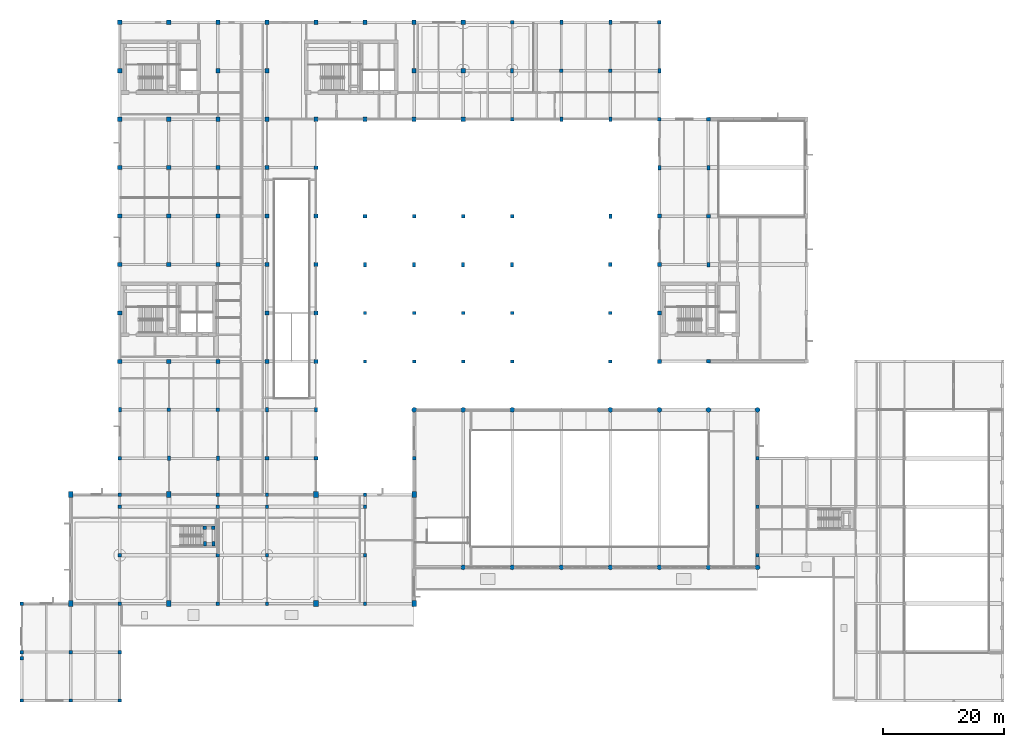
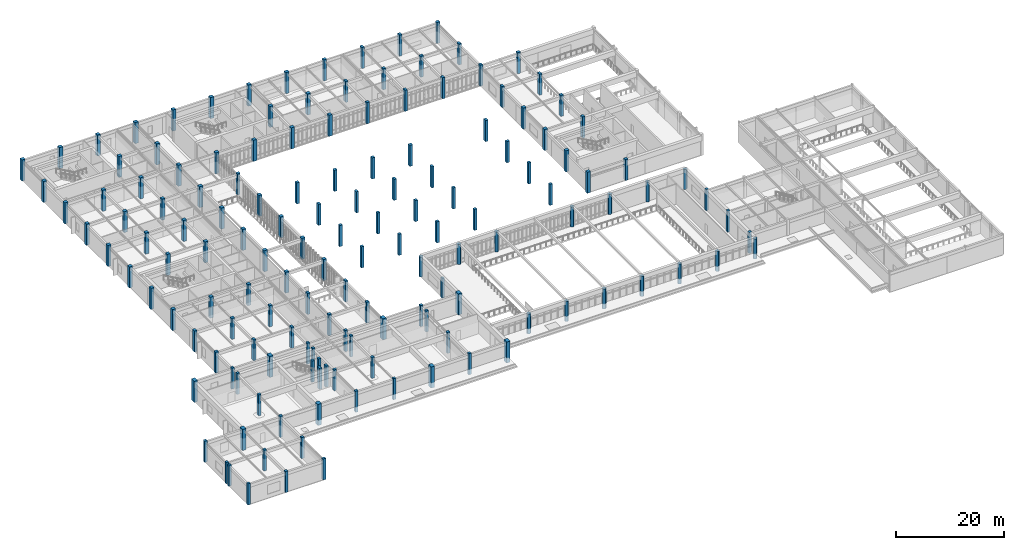
# One storey, part 1 of 61: 150 columns.
"""IFC4 building model written with IfcOpenShell, lengths in metres."""

from ifc_helpers import new_model, si_unit, direction, frame, origin, origin_2d, place, context, subcontext, project, spatial, rectangle, circle, extrude, material, material_profile, profile_set, type_object, element, save


model = new_model("IFC4")

# Units and contexts
model_context = context("Model", 3, precision=1e-05, world=origin(), true_north=direction((0.0, 1.0)))
body_context = subcontext(model_context, "Body", "Model", "MODEL_VIEW")
ifc_project = project(units=[si_unit("LENGTHUNIT", "METRE"), si_unit("AREAUNIT", "SQUARE_METRE"), si_unit("VOLUMEUNIT", "CUBIC_METRE"), si_unit("PLANEANGLEUNIT", "RADIAN"), si_unit("MASSUNIT", "GRAM", prefix="KILO")], contexts=[model_context])

# Site, building, storey
site_placement = place(None, origin())
site = spatial("IfcSite", under=ifc_project, at=site_placement, CompositionType="ELEMENT")
building_placement = place(site_placement, origin())
building = spatial("IfcBuilding", under=site, at=building_placement, Name="Tarnveldt Square Police Headquarters", CompositionType="ELEMENT")
storey_placement = place(building_placement, frame((0.0, 0.0, 5.39990234375)))
storey = spatial("IfcBuildingStorey", under=building, at=storey_placement, Name="L01", CompositionType="ELEMENT", Elevation=5.39990234375)

# Columns
ifc_material_1 = material(Name="Concrete 40 MPa", Category="concrete")
ifc_material_profile_1 = material_profile(ifc_material_1, circle(Radius=0.39990234375, at=origin_2d()), Name="RC-D800")
ifc_profile_set_1 = profile_set([ifc_material_profile_1], Name="Concrete 40 MPa")
column_type_1 = type_object("IfcColumnType", Name="COL-D800", PredefinedType="COLUMN", material=ifc_profile_set_1)
for number, where, z_axis, x_axis, name in (
    (1, (64.800048828125, 48.0, 0.0), (0.0, 0.0, 1.0), (1.0, 0.0, 0.0), "L01 Column 098"),
    (2, (72.89990234375, 22.0, 0.0), (0.0, 0.0, 1.0), (1.0, 0.0, 0.0), "L01 Column 107"),
    (3, (72.89990234375, 48.0, 0.0), (0.0, 0.0, 1.0), (1.0, 0.0, 0.0), "L01 Column 108"),
    (4, (81.0, 22.0, 0.0), (0.0, 0.0, 1.0), (1.0, 0.0, 0.0), "L01 Column 117"),
    (5, (81.0, 48.0, 0.0), (0.0, 0.0, 1.0), (1.0, 0.0, 0.0), "L01 Column 118"),
    (6, (89.10009765625, 22.0, 0.0), (0.0, 0.0, 1.0), (1.0, 0.0, 0.0), "L01 Column 127"),
    (7, (97.199951171875, 22.0, 0.0), (0.0, 0.0, 1.0), (1.0, 0.0, 0.0), "L01 Column 132"),
    (8, (97.199951171875, 48.0, 0.0), (0.0, 0.0, 1.0), (1.0, 0.0, 0.0), "L01 Column 133"),
    (9, (105.300048828125, 22.0, 0.0), (0.0, 0.0, 1.0), (1.0, 0.0, 0.0), "L01 Column 143"),
    (10, (105.300048828125, 48.0, 0.0), (0.0, 0.0, 1.0), (1.0, 0.0, 0.0), "L01 Column 144"),
    (11, (113.39990234375, 22.0, 0.0), (0.0, 0.0, 1.0), (1.0, 0.0, 0.0), "L01 Column 154"),
    (12, (113.39990234375, 48.0, 0.0), (0.0, 0.0, 1.0), (1.0, 0.0, 0.0), "L01 Column 155"),
    (13, (121.5, 22.0, 0.0), (0.0, 0.0, 1.0), (1.0, 0.0, 0.0), "L01 Column 161"),
    (14, (121.5, 48.0, 0.0), (0.0, 0.0, 1.0), (1.0, 0.0, 0.0), "L01 Column 165"),
):
    element("IfcColumn", number, at=place(storey_placement, frame(where, z_axis=z_axis, x_axis=x_axis)), inside=storey, type_object=column_type_1, Name=name, PredefinedType="COLUMN", context=body_context, shape_type="SweptSolid", body=[
        extrude(circle(Radius=0.39990234375, at=origin_2d()), origin(), (0.0, 0.0, 1.0), 4.52001953125),
    ])
ifc_material_profile_2 = material_profile(ifc_material_1, rectangle(XDim=0.5, YDim=0.75, at=origin_2d()), Name="RC-C500x750")
ifc_profile_set_2 = profile_set([ifc_material_profile_2], Name="Concrete 40 MPa")
column_type_2 = type_object("IfcColumnType", Name="COL-RC500x750", PredefinedType="COLUMN", material=ifc_profile_set_2)
for number, where, z_axis, x_axis, name in (
    (15, (16.199951171875, 48.0, 0.0), (0.0, 0.0, 1.0), (1.0, 0.0, 0.0), "L01 Column 019"),
    (16, (24.300048828125, 40.0, 0.0), (0.0, 0.0, 1.0), (1.0, 0.0, 0.0), "L01 Column 031"),
    (17, (30.25, 25.8798828125, 0.0), (0.0, 0.0, 1.0), (1.0, 0.0, 0.0), "L01 Column 039"),
    (18, (31.64990234375, 25.8798828125, 0.0), (0.0, 0.0, 1.0), (1.0, 0.0, 0.0), "L01 Column 041"),
    (19, (32.39990234375, 40.0, 0.0), (0.0, 0.0, 1.0), (1.0, 0.0, 0.0), "L01 Column 047"),
    (20, (40.5, 48.0, 0.0), (0.0, 0.0, 1.0), (1.0, 0.0, 0.0), "L01 Column 061"),
    (21, (48.60009765625, 48.0, 0.0), (0.0, 0.0, 1.0), (1.0, 0.0, 0.0), "L01 Column 073"),
    (22, (56.699951171875, 72.0, 0.0), (0.0, 0.0, 1.0), (1.0, 0.0, 0.0), "L01 Column 089"),
    (23, (64.800048828125, 72.0, 0.0), (0.0, 0.0, 1.0), (1.0, 0.0, 0.0), "L01 Column 101"),
    (24, (72.89990234375, 72.0, 0.0), (0.0, 0.0, 1.0), (1.0, 0.0, 0.0), "L01 Column 111"),
    (25, (81.0, 72.0, 0.0), (0.0, 0.0, 1.0), (1.0, 0.0, 0.0), "L01 Column 121"),
    (26, (81.0, 104.0, 0.0), (0.0, 0.0, 1.0), (1.0, 0.0, 0.0), "L01 Column 125"),
    (27, (89.10009765625, 96.0, 0.0), (0.0, 0.0, 1.0), (1.0, 0.0, 0.0), "L01 Column 129"),
    (28, (89.10009765625, 112.0, 0.0), (0.0, 0.0, 1.0), (1.0, 0.0, 0.0), "L01 Column 131"),
    (29, (97.199951171875, 80.0, 0.0), (0.0, 0.0, 1.0), (1.0, 0.0, 0.0), "L01 Column 137"),
    (30, (97.199951171875, 96.0, 0.0), (0.0, 0.0, 1.0), (1.0, 0.0, 0.0), "L01 Column 139"),
    (31, (97.199951171875, 112.0, 0.0), (0.0, 0.0, 1.0), (1.0, 0.0, 0.0), "L01 Column 141"),
    (32, (105.300048828125, 88.0, 0.0), (0.0, 0.0, 1.0), (1.0, 0.0, 0.0), "L01 Column 149"),
    (33, (105.300048828125, 104.0, 0.0), (0.0, 0.0, 1.0), (1.0, 0.0, 0.0), "L01 Column 151"),
    (34, (113.39990234375, 72.0, 0.0), (0.0, 0.0, 1.0), (1.0, 0.0, 0.0), "L01 Column 157"),
    (35, (113.39990234375, 88.0, 0.0), (0.0, 0.0, 1.0), (1.0, 0.0, 0.0), "L01 Column 159"),
):
    element("IfcColumn", number, at=place(storey_placement, frame(where, z_axis=z_axis, x_axis=x_axis)), inside=storey, type_object=column_type_2, Name=name, PredefinedType="COLUMN", context=body_context, shape_type="SweptSolid", body=[
        extrude(rectangle(XDim=0.5, YDim=0.75, at=origin_2d()), origin(), (0.0, 0.0, 1.0), 4.800048828125),
    ])
ifc_material_profile_3 = material_profile(ifc_material_1, rectangle(XDim=0.550048828125, YDim=0.550048828125, at=origin_2d()), Name="RC-C550x550")
ifc_profile_set_3 = profile_set([ifc_material_profile_3], Name="Concrete 40 MPa")
column_type_3 = type_object("IfcColumnType", Name="COL-RC550", PredefinedType="COLUMN", material=ifc_profile_set_3)
for number, where, z_axis, x_axis, name in (
    (36, (0.0, 0.0, 0.0), (0.0, 0.0, 1.0), (1.0, 0.0, 0.0), "L01 Column 001"),
    (37, (0.0, 7.0, 0.0), (0.0, 0.0, 1.0), (1.0, 0.0, 0.0), "L01 Column 002"),
    (38, (0.0, 8.0, 0.0), (0.0, 0.0, 1.0), (1.0, 0.0, 0.0), "L01 Column 003"),
    (39, (0.0, 16.0, 0.0), (0.0, 0.0, 1.0), (1.0, 0.0, 0.0), "L01 Column 004"),
    (40, (8.10009765625, 0.0, 0.0), (0.0, 0.0, 1.0), (1.0, 0.0, 0.0), "L01 Column 008"),
    (41, (8.10009765625, 8.0, 0.0), (0.0, 0.0, 1.0), (1.0, 0.0, 0.0), "L01 Column 009"),
    (42, (16.199951171875, 0.0, 0.0), (0.0, 0.0, 1.0), (1.0, 0.0, 0.0), "L01 Column 012"),
    (43, (16.199951171875, 8.0, 0.0), (0.0, 0.0, 1.0), (1.0, 0.0, 0.0), "L01 Column 013"),
    (44, (16.199951171875, 16.0, 0.0), (0.0, 0.0, 1.0), (1.0, 0.0, 0.0), "L01 Column 014"),
    (45, (16.199951171875, 24.0, 0.0), (0.0, 0.0, 1.0), (1.0, 0.0, 0.0), "L01 Column 015"),
    (46, (16.199951171875, 32.0, 0.0), (0.0, 0.0, 1.0), (1.0, 0.0, 0.0), "L01 Column 016"),
    (47, (16.199951171875, 34.0, 0.0), (0.0, 0.0, 1.0), (1.0, 0.0, 0.0), "L01 Column 017"),
    (48, (32.39990234375, 16.0, 0.0), (0.0, 0.0, 1.0), (1.0, 0.0, 0.0), "L01 Column 043"),
    (49, (32.39990234375, 24.0, 0.0), (0.0, 0.0, 1.0), (1.0, 0.0, 0.0), "L01 Column 044"),
    (50, (32.39990234375, 32.0, 0.0), (0.0, 0.0, 1.0), (1.0, 0.0, 0.0), "L01 Column 045"),
    (51, (32.39990234375, 34.0, 0.0), (0.0, 0.0, 1.0), (1.0, 0.0, 0.0), "L01 Column 046"),
    (52, (40.5, 16.0, 0.0), (0.0, 0.0, 1.0), (1.0, 0.0, 0.0), "L01 Column 056"),
    (53, (40.5, 24.0, 0.0), (0.0, 0.0, 1.0), (1.0, 0.0, 0.0), "L01 Column 057"),
    (54, (40.5, 32.0, 0.0), (0.0, 0.0, 1.0), (1.0, 0.0, 0.0), "L01 Column 058"),
    (55, (40.5, 34.0, 0.0), (0.0, 0.0, 1.0), (1.0, 0.0, 0.0), "L01 Column 059"),
    (56, (56.699951171875, 16.0, 0.0), (0.0, 0.0, 1.0), (1.0, 0.0, 0.0), "L01 Column 081"),
    (57, (56.699951171875, 24.0, 0.0), (0.0, 0.0, 1.0), (1.0, 0.0, 0.0), "L01 Column 082"),
    (58, (56.699951171875, 32.0, 0.0), (0.0, 0.0, 1.0), (1.0, 0.0, 0.0), "L01 Column 083"),
    (59, (56.699951171875, 34.0, 0.0), (0.0, 0.0, 1.0), (1.0, 0.0, 0.0), "L01 Column 084"),
    (60, (56.699951171875, 56.0, 0.0), (0.0, 0.0, 1.0), (1.0, 0.0, 0.0), "L01 Column 087"),
    (61, (56.699951171875, 64.0, 0.0), (0.0, 0.0, 1.0), (1.0, 0.0, 0.0), "L01 Column 088"),
):
    element("IfcColumn", number, at=place(storey_placement, frame(where, z_axis=z_axis, x_axis=x_axis)), inside=storey, type_object=column_type_3, Name=name, PredefinedType="COLUMN", context=body_context, shape_type="SweptSolid", body=[
        extrude(rectangle(XDim=0.550048828125, YDim=0.550048828125, at=origin_2d()), origin(), (0.0, 0.0, 1.0), 4.800048828125),
    ])
column_placement = place(storey_placement, frame((64.800048828125, 40.0, 0.0), z_axis=(0.0, 0.0, 1.0), x_axis=(1.0, 0.0, 0.0)))
element("IfcColumn", 62, at=column_placement, inside=storey, type_object=column_type_3, Name="L01 Column 097", PredefinedType="COLUMN", context=body_context, shape_type="SweptSolid", body=[
    extrude(rectangle(XDim=0.550048828125, YDim=0.550048828125, at=origin_2d()), origin(), (0.0, 0.0, 1.0), 4.52001953125),
])
for number, where, z_axis, x_axis, name in (
    (63, (64.800048828125, 56.0, 0.0), (0.0, 0.0, 1.0), (1.0, 0.0, 0.0), "L01 Column 099"),
    (64, (64.800048828125, 64.0, 0.0), (0.0, 0.0, 1.0), (1.0, 0.0, 0.0), "L01 Column 100"),
    (65, (72.89990234375, 56.0, 0.0), (0.0, 0.0, 1.0), (1.0, 0.0, 0.0), "L01 Column 109"),
    (66, (72.89990234375, 64.0, 0.0), (0.0, 0.0, 1.0), (1.0, 0.0, 0.0), "L01 Column 110"),
    (67, (81.0, 56.0, 0.0), (0.0, 0.0, 1.0), (1.0, 0.0, 0.0), "L01 Column 119"),
    (68, (81.0, 64.0, 0.0), (0.0, 0.0, 1.0), (1.0, 0.0, 0.0), "L01 Column 120"),
    (69, (97.199951171875, 56.0, 0.0), (0.0, 0.0, 1.0), (1.0, 0.0, 0.0), "L01 Column 134"),
    (70, (97.199951171875, 64.0, 0.0), (0.0, 0.0, 1.0), (1.0, 0.0, 0.0), "L01 Column 135"),
    (71, (121.5, 24.0, 0.0), (0.0, 0.0, 1.0), (1.0, 0.0, 0.0), "L01 Column 162"),
    (72, (121.5, 32.0, 0.0), (0.0, 0.0, 1.0), (1.0, 0.0, 0.0), "L01 Column 163"),
    (73, (121.5, 40.0, 0.0), (0.0, 0.0, 1.0), (1.0, 0.0, 0.0), "L01 Column 164"),
):
    element("IfcColumn", number, at=place(storey_placement, frame(where, z_axis=z_axis, x_axis=x_axis)), inside=storey, type_object=column_type_3, Name=name, PredefinedType="COLUMN", context=body_context, shape_type="SweptSolid", body=[
        extrude(rectangle(XDim=0.550048828125, YDim=0.550048828125, at=origin_2d()), origin(), (0.0, 0.0, 1.0), 4.800048828125),
    ])
ifc_material_profile_4 = material_profile(ifc_material_1, rectangle(XDim=0.60009765625, YDim=0.60009765625, at=origin_2d()), Name="RC-C600x600")
ifc_profile_set_4 = profile_set([ifc_material_profile_4], Name="Concrete 40 MPa")
column_type_4 = type_object("IfcColumnType", Name="COL-RC600", PredefinedType="COLUMN", material=ifc_profile_set_4)
for number, where, z_axis, x_axis, name in (
    (74, (16.199951171875, 40.0, 0.0), (0.0, 0.0, 1.0), (1.0, 0.0, 0.0), "L01 Column 018"),
    (75, (24.300048828125, 48.0, 0.0), (0.0, 0.0, 1.0), (1.0, 0.0, 0.0), "L01 Column 032"),
    (76, (30.25, 28.52001953125, 0.0), (0.0, 0.0, 1.0), (1.0, 0.0, 0.0), "L01 Column 040"),
    (77, (31.64990234375, 28.52001953125, 0.0), (0.0, 0.0, 1.0), (1.0, 0.0, 0.0), "L01 Column 042"),
    (78, (32.39990234375, 48.0, 0.0), (0.0, 0.0, 1.0), (1.0, 0.0, 0.0), "L01 Column 048"),
    (79, (40.5, 40.0, 0.0), (0.0, 0.0, 1.0), (1.0, 0.0, 0.0), "L01 Column 060"),
    (80, (48.60009765625, 40.0, 0.0), (0.0, 0.0, 1.0), (1.0, 0.0, 0.0), "L01 Column 072"),
    (81, (48.60009765625, 88.0, 0.0), (0.0, 0.0, 1.0), (1.0, 0.0, 0.0), "L01 Column 078"),
    (82, (56.699951171875, 80.0, 0.0), (0.0, 0.0, 1.0), (1.0, 0.0, 0.0), "L01 Column 090"),
    (83, (64.800048828125, 80.0, 0.0), (0.0, 0.0, 1.0), (1.0, 0.0, 0.0), "L01 Column 102"),
    (84, (72.89990234375, 80.0, 0.0), (0.0, 0.0, 1.0), (1.0, 0.0, 0.0), "L01 Column 112"),
    (85, (81.0, 80.0, 0.0), (0.0, 0.0, 1.0), (1.0, 0.0, 0.0), "L01 Column 122"),
    (86, (81.0, 96.0, 0.0), (0.0, 0.0, 1.0), (1.0, 0.0, 0.0), "L01 Column 124"),
    (87, (81.0, 112.0, 0.0), (0.0, 0.0, 1.0), (1.0, 0.0, 0.0), "L01 Column 126"),
    (88, (89.10009765625, 104.0, 0.0), (0.0, 0.0, 1.0), (1.0, 0.0, 0.0), "L01 Column 130"),
    (89, (97.199951171875, 72.0, 0.0), (0.0, 0.0, 1.0), (1.0, 0.0, 0.0), "L01 Column 136"),
    (90, (97.199951171875, 104.0, 0.0), (0.0, 0.0, 1.0), (1.0, 0.0, 0.0), "L01 Column 140"),
    (91, (105.300048828125, 96.0, 0.0), (0.0, 0.0, 1.0), (1.0, 0.0, 0.0), "L01 Column 150"),
    (92, (105.300048828125, 112.0, 0.0), (0.0, 0.0, 1.0), (1.0, 0.0, 0.0), "L01 Column 152"),
    (93, (113.39990234375, 56.0, 0.0), (0.0, 0.0, 1.0), (1.0, 0.0, 0.0), "L01 Column 156"),
    (94, (113.39990234375, 80.0, 0.0), (0.0, 0.0, 1.0), (1.0, 0.0, 0.0), "L01 Column 158"),
    (95, (113.39990234375, 96.0, 0.0), (0.0, 0.0, 1.0), (1.0, 0.0, 0.0), "L01 Column 160"),
):
    element("IfcColumn", number, at=place(storey_placement, frame(where, z_axis=z_axis, x_axis=x_axis)), inside=storey, type_object=column_type_4, Name=name, PredefinedType="COLUMN", context=body_context, shape_type="SweptSolid", body=[
        extrude(rectangle(XDim=0.60009765625, YDim=0.60009765625, at=origin_2d()), origin(), (0.0, 0.0, 1.0), 4.800048828125),
    ])
ifc_material_2 = material(Name="Concrete 50 MPa", Category="concrete")
ifc_material_profile_5 = material_profile(ifc_material_2, rectangle(XDim=0.699951171875, YDim=0.699951171875, at=origin_2d()), Name="RC-C700x700")
ifc_profile_set_5 = profile_set([ifc_material_profile_5], Name="Concrete 50 MPa")
column_type_5 = type_object("IfcColumnType", Name="COL-RC700", PredefinedType="COLUMN", material=ifc_profile_set_5)
for number, where, z_axis, x_axis, name in (
    (96, (16.199951171875, 56.0, 0.0), (0.0, 0.0, 1.0), (1.0, 0.0, 0.0), "L01 Column 020"),
    (97, (16.199951171875, 64.0, 0.0), (0.0, 0.0, 1.0), (1.0, 0.0, 0.0), "L01 Column 021"),
    (98, (16.199951171875, 72.0, 0.0), (0.0, 0.0, 1.0), (1.0, 0.0, 0.0), "L01 Column 022"),
    (99, (16.199951171875, 80.0, 0.0), (0.0, 0.0, 1.0), (1.0, 0.0, 0.0), "L01 Column 023"),
    (100, (16.199951171875, 88.0, 0.0), (0.0, 0.0, 1.0), (1.0, 0.0, 0.0), "L01 Column 024"),
    (101, (16.199951171875, 96.0, 0.0), (0.0, 0.0, 1.0), (1.0, 0.0, 0.0), "L01 Column 025"),
    (102, (16.199951171875, 104.0, 0.0), (0.0, 0.0, 1.0), (1.0, 0.0, 0.0), "L01 Column 026"),
    (103, (16.199951171875, 112.0, 0.0), (0.0, 0.0, 1.0), (1.0, 0.0, 0.0), "L01 Column 027"),
    (104, (24.300048828125, 56.0, 0.0), (0.0, 0.0, 1.0), (1.0, 0.0, 0.0), "L01 Column 033"),
    (105, (24.300048828125, 72.0, 0.0), (0.0, 0.0, 1.0), (1.0, 0.0, 0.0), "L01 Column 034"),
    (106, (24.300048828125, 80.0, 0.0), (0.0, 0.0, 1.0), (1.0, 0.0, 0.0), "L01 Column 035"),
    (107, (24.300048828125, 88.0, 0.0), (0.0, 0.0, 1.0), (1.0, 0.0, 0.0), "L01 Column 036"),
    (108, (24.300048828125, 96.0, 0.0), (0.0, 0.0, 1.0), (1.0, 0.0, 0.0), "L01 Column 037"),
    (109, (24.300048828125, 112.0, 0.0), (0.0, 0.0, 1.0), (1.0, 0.0, 0.0), "L01 Column 038"),
    (110, (32.39990234375, 56.0, 0.0), (0.0, 0.0, 1.0), (1.0, 0.0, 0.0), "L01 Column 049"),
    (111, (32.39990234375, 72.0, 0.0), (0.0, 0.0, 1.0), (1.0, 0.0, 0.0), "L01 Column 050"),
    (112, (32.39990234375, 80.0, 0.0), (0.0, 0.0, 1.0), (1.0, 0.0, 0.0), "L01 Column 051"),
    (113, (32.39990234375, 88.0, 0.0), (0.0, 0.0, 1.0), (1.0, 0.0, 0.0), "L01 Column 052"),
    (114, (32.39990234375, 96.0, 0.0), (0.0, 0.0, 1.0), (1.0, 0.0, 0.0), "L01 Column 053"),
    (115, (32.39990234375, 104.0, 0.0), (0.0, 0.0, 1.0), (1.0, 0.0, 0.0), "L01 Column 054"),
    (116, (32.39990234375, 112.0, 0.0), (0.0, 0.0, 1.0), (1.0, 0.0, 0.0), "L01 Column 055"),
    (117, (40.5, 56.0, 0.0), (0.0, 0.0, 1.0), (1.0, 0.0, 0.0), "L01 Column 062"),
    (118, (40.5, 64.0, 0.0), (0.0, 0.0, 1.0), (1.0, 0.0, 0.0), "L01 Column 063"),
    (119, (40.5, 72.0, 0.0), (0.0, 0.0, 1.0), (1.0, 0.0, 0.0), "L01 Column 064"),
    (120, (40.5, 80.0, 0.0), (0.0, 0.0, 1.0), (1.0, 0.0, 0.0), "L01 Column 065"),
    (121, (40.5, 88.0, 0.0), (0.0, 0.0, 1.0), (1.0, 0.0, 0.0), "L01 Column 066"),
    (122, (40.5, 96.0, 0.0), (0.0, 0.0, 1.0), (1.0, 0.0, 0.0), "L01 Column 067"),
    (123, (40.5, 104.0, 0.0), (0.0, 0.0, 1.0), (1.0, 0.0, 0.0), "L01 Column 068"),
    (124, (40.5, 112.0, 0.0), (0.0, 0.0, 1.0), (1.0, 0.0, 0.0), "L01 Column 069"),
    (125, (48.60009765625, 56.0, 0.0), (0.0, 0.0, 1.0), (1.0, 0.0, 0.0), "L01 Column 074"),
    (126, (48.60009765625, 64.0, 0.0), (0.0, 0.0, 1.0), (1.0, 0.0, 0.0), "L01 Column 075"),
    (127, (48.60009765625, 72.0, 0.0), (0.0, 0.0, 1.0), (1.0, 0.0, 0.0), "L01 Column 076"),
    (128, (48.60009765625, 80.0, 0.0), (0.0, 0.0, 1.0), (1.0, 0.0, 0.0), "L01 Column 077"),
    (129, (48.60009765625, 96.0, 0.0), (0.0, 0.0, 1.0), (1.0, 0.0, 0.0), "L01 Column 079"),
    (130, (48.60009765625, 112.0, 0.0), (0.0, 0.0, 1.0), (1.0, 0.0, 0.0), "L01 Column 080"),
    (131, (56.699951171875, 96.0, 0.0), (0.0, 0.0, 1.0), (1.0, 0.0, 0.0), "L01 Column 092"),
    (132, (56.699951171875, 112.0, 0.0), (0.0, 0.0, 1.0), (1.0, 0.0, 0.0), "L01 Column 093"),
    (133, (64.800048828125, 96.0, 0.0), (0.0, 0.0, 1.0), (1.0, 0.0, 0.0), "L01 Column 104"),
    (134, (64.800048828125, 104.0, 0.0), (0.0, 0.0, 1.0), (1.0, 0.0, 0.0), "L01 Column 105"),
    (135, (64.800048828125, 112.0, 0.0), (0.0, 0.0, 1.0), (1.0, 0.0, 0.0), "L01 Column 106"),
    (136, (72.89990234375, 96.0, 0.0), (0.0, 0.0, 1.0), (1.0, 0.0, 0.0), "L01 Column 114"),
    (137, (72.89990234375, 104.0, 0.0), (0.0, 0.0, 1.0), (1.0, 0.0, 0.0), "L01 Column 115"),
    (138, (72.89990234375, 112.0, 0.0), (0.0, 0.0, 1.0), (1.0, 0.0, 0.0), "L01 Column 116"),
    (139, (105.300048828125, 56.0, 0.0), (0.0, 0.0, 1.0), (1.0, 0.0, 0.0), "L01 Column 145"),
    (140, (105.300048828125, 64.0, 0.0), (0.0, 0.0, 1.0), (1.0, 0.0, 0.0), "L01 Column 146"),
    (141, (105.300048828125, 72.0, 0.0), (0.0, 0.0, 1.0), (1.0, 0.0, 0.0), "L01 Column 147"),
    (142, (105.300048828125, 80.0, 0.0), (0.0, 0.0, 1.0), (1.0, 0.0, 0.0), "L01 Column 148"),
):
    element("IfcColumn", number, at=place(storey_placement, frame(where, z_axis=z_axis, x_axis=x_axis)), inside=storey, type_object=column_type_5, Name=name, PredefinedType="COLUMN", context=body_context, shape_type="SweptSolid", body=[
        extrude(rectangle(XDim=0.699951171875, YDim=0.699951171875, at=origin_2d()), origin(), (0.0, 0.0, 1.0), 4.800048828125),
    ])
ifc_material_profile_6 = material_profile(ifc_material_2, rectangle(XDim=0.75, YDim=1.0, at=origin_2d()), Name="RC-C750x1000")
ifc_profile_set_6 = profile_set([ifc_material_profile_6], Name="Concrete 50 MPa")
column_type_6 = type_object("IfcColumnType", Name="COL-RC750x1000", PredefinedType="COLUMN", material=ifc_profile_set_6)
for number, where, z_axis, x_axis, name in (
    (143, (8.10009765625, 16.0, 0.0), (0.0, 0.0, 1.0), (1.0, 0.0, 0.0), "L01 Column 010"),
    (144, (8.10009765625, 34.0, 0.0), (0.0, 0.0, 1.0), (1.0, 0.0, 0.0), "L01 Column 011"),
    (145, (24.300048828125, 16.0, 0.0), (0.0, 0.0, 1.0), (1.0, 0.0, 0.0), "L01 Column 029"),
    (146, (24.300048828125, 34.0, 0.0), (0.0, 0.0, 1.0), (1.0, 0.0, 0.0), "L01 Column 030"),
    (147, (48.60009765625, 16.0, 0.0), (0.0, 0.0, 1.0), (1.0, 0.0, 0.0), "L01 Column 070"),
    (148, (48.60009765625, 34.0, 0.0), (0.0, 0.0, 1.0), (1.0, 0.0, 0.0), "L01 Column 071"),
    (149, (64.800048828125, 16.0, 0.0), (0.0, 0.0, 1.0), (1.0, 0.0, 0.0), "L01 Column 095"),
    (150, (64.800048828125, 34.0, 0.0), (0.0, 0.0, 1.0), (1.0, 0.0, 0.0), "L01 Column 096"),
):
    element("IfcColumn", number, at=place(storey_placement, frame(where, z_axis=z_axis, x_axis=x_axis)), inside=storey, type_object=column_type_6, Name=name, PredefinedType="COLUMN", context=body_context, shape_type="SweptSolid", body=[
        extrude(rectangle(XDim=0.75, YDim=1.0, at=origin_2d()), origin(), (0.0, 0.0, 1.0), 4.800048828125),
    ])

save(model, "model.ifc")
